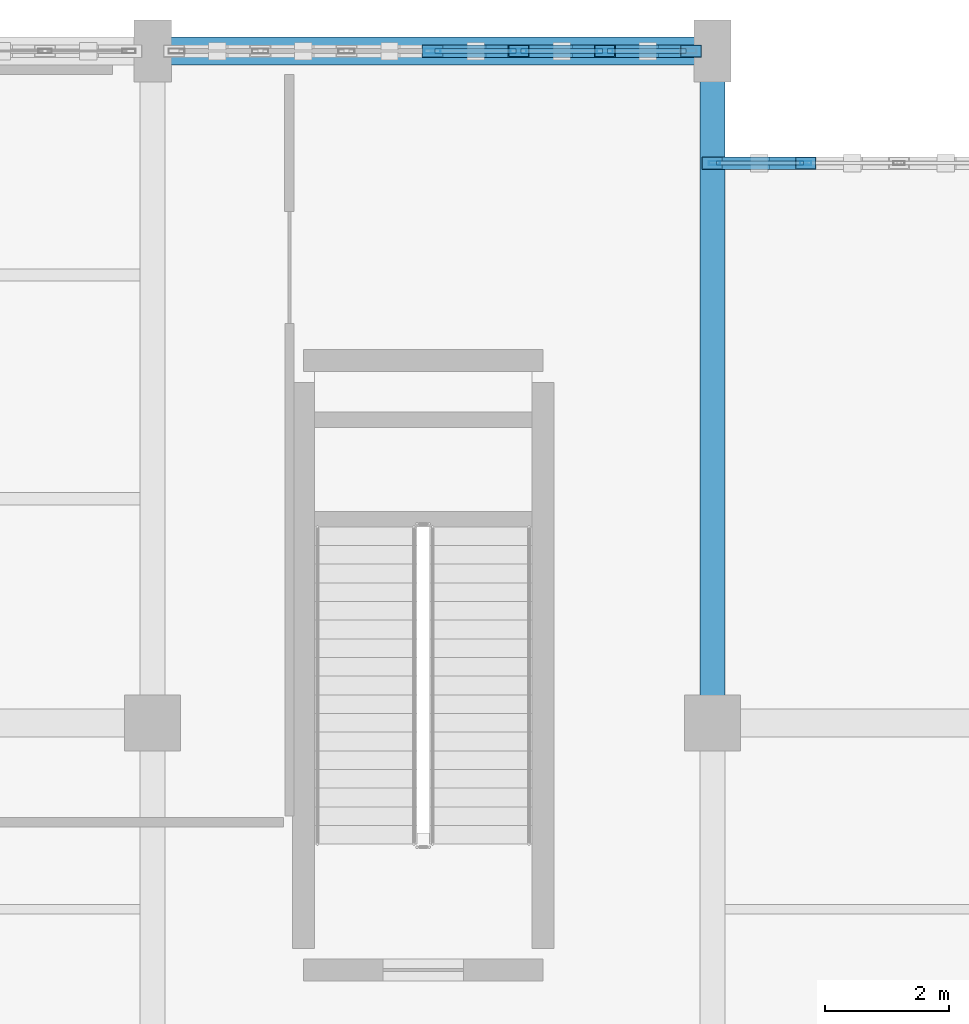
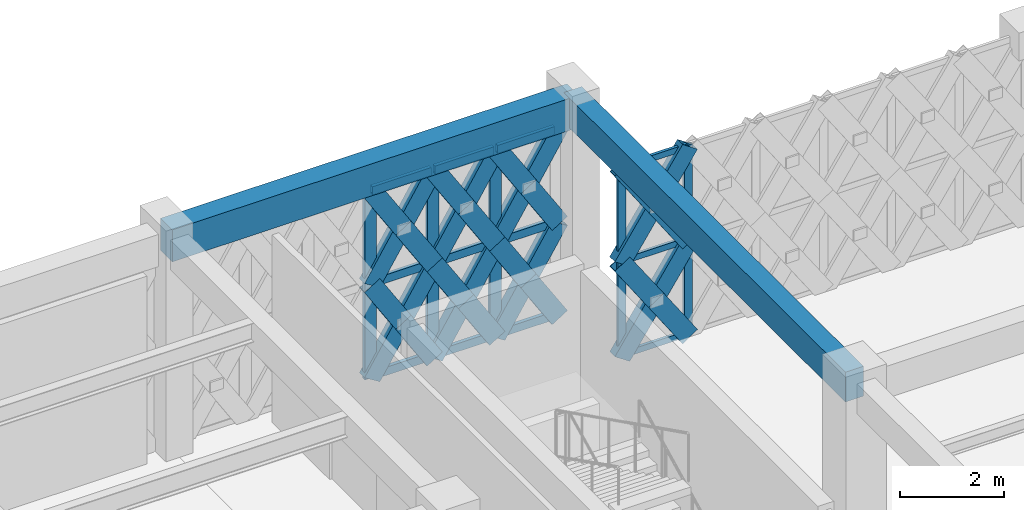
# One storey, part 92 of 155: 41 members, 2 beams, 2 elements without a shape of their own.
"""IFC4 building model written with IfcOpenShell, lengths in metres."""

from ifc_helpers import new_model, si_unit, direction, frame, origin, origin_2d, place, context, subcontext, project, spatial, rectangle, hollow_rectangle, extrude, material, material_profile, profile_set, type_object, element, aggregate, save


model = new_model("IFC4")

# Units and contexts
model_context = context("Model", 3, precision=1e-05, world=origin(), true_north=direction((0.0, 1.0)))
body_context = subcontext(model_context, "Body", "Model", "MODEL_VIEW")
ifc_project = project(units=[si_unit("LENGTHUNIT", "METRE"), si_unit("AREAUNIT", "SQUARE_METRE"), si_unit("VOLUMEUNIT", "CUBIC_METRE"), si_unit("PLANEANGLEUNIT", "RADIAN"), si_unit("MASSUNIT", "GRAM", prefix="KILO")], contexts=[model_context])

# Site, building, storey
site_placement = place(None, origin())
site = spatial("IfcSite", under=ifc_project, at=site_placement, CompositionType="ELEMENT")
building_placement = place(site_placement, origin())
building = spatial("IfcBuilding", under=site, at=building_placement, Name="Haizhuo Lancet Aquarium", CompositionType="ELEMENT")
storey_placement = place(building_placement, frame((0.0, 0.0, 10.800048828125)))
storey = spatial("IfcBuildingStorey", under=building, at=storey_placement, Name="L02", CompositionType="ELEMENT", Elevation=10.800048828125)

# Beams
ifc_material_1 = material(Name="Concrete C40/50", Category="concrete")
ifc_material_profile_1 = material_profile(ifc_material_1, rectangle(XDim=0.39990234375, YDim=0.699951171875, at=origin_2d()), Name="RC-BM 400x700")
ifc_profile_set_1 = profile_set([ifc_material_profile_1], Name="Concrete C40/50")
beam_type_1 = type_object("IfcBeamType", Name="BM-RC-400x700", PredefinedType="BEAM", material=ifc_profile_set_1)
beam_1_placement = place(storey_placement, frame((18.0, 45.0, 4.81005859375), z_axis=(0.0, 1.0, 0.0), x_axis=(-1.0, 0.0, 0.0)))
element("IfcBeam", 1, at=beam_1_placement, inside=storey, type_object=beam_type_1, Name="L02 V5 primary girder BM-L02-V5-030", PredefinedType="BEAM", context=body_context, shape_type="SweptSolid", body=[
    extrude(rectangle(XDim=0.39990234375, YDim=0.699951171875, at=origin_2d()), origin(), (0.0, 0.0, 1.0), 10.800048828125),
])
ifc_material_profile_2 = material_profile(ifc_material_1, rectangle(XDim=0.449951171875, YDim=0.75, at=origin_2d()), Name="RC-BM 450x750")
ifc_profile_set_2 = profile_set([ifc_material_profile_2], Name="Concrete C40/50")
beam_type_2 = type_object("IfcBeamType", Name="BM-RC-450x750", PredefinedType="BEAM", material=ifc_profile_set_2)
beam_2_placement = place(storey_placement, frame((9.0, 55.800048828125, 4.784912109375), z_axis=(1.0, 0.0, 0.0), x_axis=(0.0, 1.0, 0.0)))
element("IfcBeam", 2, at=beam_2_placement, inside=storey, type_object=beam_type_2, Name="L02 V5 primary girder BM-L02-V5-027", PredefinedType="BEAM", context=body_context, shape_type="SweptSolid", body=[
    extrude(rectangle(XDim=0.449951171875, YDim=0.75, at=origin_2d()), origin(), (0.0, 0.0, 1.0), 9.0),
])

# Curtain wall, members
ifc_material_2 = material(Name="Aluminium 6063-T6", Category="aluminium")
curtain_wall_type_1 = type_object("IfcCurtainWallType", Name="CWD-9000x4440", PredefinedType="NOTDEFINED", material=ifc_material_2)
curtain_wall_1_placement = place(storey_placement, origin())
curtain_wall_1 = element("IfcCurtainWall", 3, at=curtain_wall_1_placement, inside=storey, type_object=curtain_wall_type_1, Name="L02 curtain wall CW-V5-L02-151", PredefinedType="NOTDEFINED")
ifc_material_profile_3 = material_profile(ifc_material_2, hollow_rectangle(XDim=0.06494140625, YDim=0.179931640625, WallThickness=0.00390625, at=origin_2d()), Name="ALU-M 65x180x4")
ifc_profile_set_3 = profile_set([ifc_material_profile_3], Name="Aluminium 6063-T6")
member_type_1 = type_object("IfcMemberType", Name="CW-MUL-1", PredefinedType="MULLION", material=ifc_profile_set_3)
member_1_placement = place(storey_placement, frame((18.031982421875, 54.0, 0.0), z_axis=(0.0, 0.0, 1.0), x_axis=(0.0, 1.0, 0.0)))
member_1 = element("IfcMember", 4, at=member_1_placement, type_object=member_type_1, Name="CWD-90x44 mullion 1", PredefinedType="MULLION", context=body_context, shape_type="SweptSolid", body=[
    extrude(hollow_rectangle(XDim=0.06494140625, YDim=0.179931640625, WallThickness=0.00390625, at=origin_2d()), origin(), (0.0, 0.0, 1.0), 4.445068359375),
])
member_2_placement = place(storey_placement, frame((19.5, 54.0, 0.0), z_axis=(0.0, 0.0, 1.0), x_axis=(0.0, 1.0, 0.0)))
member_2 = element("IfcMember", 5, at=member_2_placement, type_object=member_type_1, Name="CWD-90x44 mullion 2", PredefinedType="MULLION", context=body_context, shape_type="SweptSolid", body=[
    extrude(hollow_rectangle(XDim=0.06494140625, YDim=0.179931640625, WallThickness=0.00390625, at=origin_2d()), origin(), (0.0, 0.0, 1.0), 4.445068359375),
])

curtain_wall_type_2 = type_object("IfcCurtainWallType", Name="CWD-8310x4410", PredefinedType="NOTDEFINED", material=ifc_material_2)
curtain_wall_2_placement = place(storey_placement, origin())
curtain_wall_2 = element("IfcCurtainWall", 6, at=curtain_wall_2_placement, inside=storey, type_object=curtain_wall_type_2, Name="L02 curtain wall CW-V5-L02-150", PredefinedType="NOTDEFINED")
ifc_material_profile_4 = material_profile(ifc_material_2, hollow_rectangle(XDim=0.080078125, YDim=0.260009765625, WallThickness=0.0048828125, at=origin_2d()), Name="ALU-M 80x260x5")
ifc_profile_set_4 = profile_set([ifc_material_profile_4], Name="Aluminium 6063-T6")
member_type_2 = type_object("IfcMemberType", Name="CW-MUL-3", PredefinedType="MULLION", material=ifc_profile_set_4)
member_3_placement = place(storey_placement, frame((13.5, 55.800048828125, 0.0), z_axis=(0.0, 0.0, 1.0), x_axis=(0.0, 1.0, 0.0)))
member_3 = element("IfcMember", 7, at=member_3_placement, type_object=member_type_2, Name="CWD-83x44 mullion 4", PredefinedType="MULLION", context=body_context, shape_type="SweptSolid", body=[
    extrude(hollow_rectangle(XDim=0.080078125, YDim=0.260009765625, WallThickness=0.0048828125, at=origin_2d()), origin(), (0.0, 0.0, 1.0), 4.409912109375),
])
member_4_placement = place(storey_placement, frame((14.885009765625, 55.800048828125, 0.0), z_axis=(0.0, 0.0, 1.0), x_axis=(0.0, 1.0, 0.0)))
member_4 = element("IfcMember", 8, at=member_4_placement, type_object=member_type_2, Name="CWD-83x44 mullion 5", PredefinedType="MULLION", context=body_context, shape_type="SweptSolid", body=[
    extrude(hollow_rectangle(XDim=0.080078125, YDim=0.260009765625, WallThickness=0.0048828125, at=origin_2d()), origin(), (0.0, 0.0, 1.0), 4.409912109375),
])
member_5_placement = place(storey_placement, frame((16.27001953125, 55.800048828125, 0.0), z_axis=(0.0, 0.0, 1.0), x_axis=(0.0, 1.0, 0.0)))
member_5 = element("IfcMember", 9, at=member_5_placement, type_object=member_type_2, Name="CWD-83x44 mullion 6", PredefinedType="MULLION", context=body_context, shape_type="SweptSolid", body=[
    extrude(hollow_rectangle(XDim=0.080078125, YDim=0.260009765625, WallThickness=0.0048828125, at=origin_2d()), origin(), (0.0, 0.0, 1.0), 4.409912109375),
])

# Member
ifc_material_profile_5 = material_profile(ifc_material_2, hollow_rectangle(XDim=0.06494140625, YDim=0.139892578125, WallThickness=0.00390625, at=origin_2d()), Name="ALU-T 65x140x4")
ifc_profile_set_5 = profile_set([ifc_material_profile_5], Name="Aluminium 6063-T6")
member_type_3 = type_object("IfcMemberType", Name="CW-TRN-1", PredefinedType="NOTDEFINED", material=ifc_profile_set_5)
member_6_placement = place(storey_placement, frame((18.06494140625, 54.0, 0.032958984375), z_axis=(1.0, 0.0, 0.0), x_axis=(0.0, 1.0, 0.0)))
member_6 = element("IfcMember", 10, at=member_6_placement, type_object=member_type_3, Name="CWD-90x44 transom 1.1", ObjectType="TRANSOM", PredefinedType="USERDEFINED", context=body_context, shape_type="SweptSolid", body=[
    extrude(hollow_rectangle(XDim=0.06494140625, YDim=0.139892578125, WallThickness=0.00390625, at=origin_2d()), origin(), (0.0, 0.0, 1.0), 1.403076171875),
])

member_7_placement = place(storey_placement, frame((18.06494140625, 54.0, 2.222900390625), z_axis=(1.0, 0.0, 0.0), x_axis=(0.0, 1.0, 0.0)))
member_7 = element("IfcMember", 11, at=member_7_placement, type_object=member_type_3, Name="CWD-90x44 transom 1.2", ObjectType="TRANSOM", PredefinedType="USERDEFINED", context=body_context, shape_type="SweptSolid", body=[
    extrude(hollow_rectangle(XDim=0.06494140625, YDim=0.139892578125, WallThickness=0.00390625, at=origin_2d()), origin(), (0.0, 0.0, 1.0), 1.403076171875),
])

member_8_placement = place(storey_placement, frame((18.06494140625, 54.0, 4.411865234375), z_axis=(1.0, 0.0, 0.0), x_axis=(0.0, 1.0, 0.0)))
member_8 = element("IfcMember", 12, at=member_8_placement, type_object=member_type_3, Name="CWD-90x44 transom 1.3", ObjectType="TRANSOM", PredefinedType="USERDEFINED", context=body_context, shape_type="SweptSolid", body=[
    extrude(hollow_rectangle(XDim=0.06494140625, YDim=0.139892578125, WallThickness=0.00390625, at=origin_2d()), origin(), (0.0, 0.0, 1.0), 1.403076171875),
])

aggregate(curtain_wall_1, [member_1, member_2, member_6, member_7, member_8])

ifc_material_profile_6 = material_profile(ifc_material_2, hollow_rectangle(XDim=0.080078125, YDim=0.18994140625, WallThickness=0.0048828125, at=origin_2d()), Name="ALU-T 80x190x5")
ifc_profile_set_6 = profile_set([ifc_material_profile_6], Name="Aluminium 6063-T6")
member_type_4 = type_object("IfcMemberType", Name="CW-TRN-3", PredefinedType="NOTDEFINED", material=ifc_profile_set_6)
member_9_placement = place(storey_placement, frame((13.5400390625, 55.800048828125, 0.0400390625), z_axis=(1.0, 0.0, 0.0), x_axis=(0.0, 1.0, 0.0)))
member_9 = element("IfcMember", 13, at=member_9_placement, type_object=member_type_4, Name="CWD-83x44 transom 4.1", ObjectType="TRANSOM", PredefinedType="USERDEFINED", context=body_context, shape_type="SweptSolid", body=[
    extrude(hollow_rectangle(XDim=0.080078125, YDim=0.18994140625, WallThickness=0.0048828125, at=origin_2d()), origin(), (0.0, 0.0, 1.0), 1.304931640625),
])

member_10_placement = place(storey_placement, frame((13.5400390625, 55.800048828125, 2.204833984375), z_axis=(1.0, 0.0, 0.0), x_axis=(0.0, 1.0, 0.0)))
member_10 = element("IfcMember", 14, at=member_10_placement, type_object=member_type_4, Name="CWD-83x44 transom 4.2", ObjectType="TRANSOM", PredefinedType="USERDEFINED", context=body_context, shape_type="SweptSolid", body=[
    extrude(hollow_rectangle(XDim=0.080078125, YDim=0.18994140625, WallThickness=0.0048828125, at=origin_2d()), origin(), (0.0, 0.0, 1.0), 1.304931640625),
])

member_11_placement = place(storey_placement, frame((13.5400390625, 55.800048828125, 4.369873046875), z_axis=(1.0, 0.0, 0.0), x_axis=(0.0, 1.0, 0.0)))
member_11 = element("IfcMember", 15, at=member_11_placement, type_object=member_type_4, Name="CWD-83x44 transom 4.3", ObjectType="TRANSOM", PredefinedType="USERDEFINED", context=body_context, shape_type="SweptSolid", body=[
    extrude(hollow_rectangle(XDim=0.080078125, YDim=0.18994140625, WallThickness=0.0048828125, at=origin_2d()), origin(), (0.0, 0.0, 1.0), 1.304931640625),
])

member_12_placement = place(storey_placement, frame((14.925048828125, 55.800048828125, 0.0400390625), z_axis=(1.0, 0.0, 0.0), x_axis=(0.0, 1.0, 0.0)))
member_12 = element("IfcMember", 16, at=member_12_placement, type_object=member_type_4, Name="CWD-83x44 transom 5.1", ObjectType="TRANSOM", PredefinedType="USERDEFINED", context=body_context, shape_type="SweptSolid", body=[
    extrude(hollow_rectangle(XDim=0.080078125, YDim=0.18994140625, WallThickness=0.0048828125, at=origin_2d()), origin(), (0.0, 0.0, 1.0), 1.304931640625),
])

member_13_placement = place(storey_placement, frame((14.925048828125, 55.800048828125, 2.204833984375), z_axis=(1.0, 0.0, 0.0), x_axis=(0.0, 1.0, 0.0)))
member_13 = element("IfcMember", 17, at=member_13_placement, type_object=member_type_4, Name="CWD-83x44 transom 5.2", ObjectType="TRANSOM", PredefinedType="USERDEFINED", context=body_context, shape_type="SweptSolid", body=[
    extrude(hollow_rectangle(XDim=0.080078125, YDim=0.18994140625, WallThickness=0.0048828125, at=origin_2d()), origin(), (0.0, 0.0, 1.0), 1.304931640625),
])

member_14_placement = place(storey_placement, frame((14.925048828125, 55.800048828125, 4.369873046875), z_axis=(1.0, 0.0, 0.0), x_axis=(0.0, 1.0, 0.0)))
member_14 = element("IfcMember", 18, at=member_14_placement, type_object=member_type_4, Name="CWD-83x44 transom 5.3", ObjectType="TRANSOM", PredefinedType="USERDEFINED", context=body_context, shape_type="SweptSolid", body=[
    extrude(hollow_rectangle(XDim=0.080078125, YDim=0.18994140625, WallThickness=0.0048828125, at=origin_2d()), origin(), (0.0, 0.0, 1.0), 1.304931640625),
])

member_15_placement = place(storey_placement, frame((16.31005859375, 55.800048828125, 0.0400390625), z_axis=(1.0, 0.0, 0.0), x_axis=(0.0, 1.0, 0.0)))
member_15 = element("IfcMember", 19, at=member_15_placement, type_object=member_type_4, Name="CWD-83x44 transom 6.1", ObjectType="TRANSOM", PredefinedType="USERDEFINED", context=body_context, shape_type="SweptSolid", body=[
    extrude(hollow_rectangle(XDim=0.080078125, YDim=0.18994140625, WallThickness=0.0048828125, at=origin_2d()), origin(), (0.0, 0.0, 1.0), 1.264892578125),
])

member_16_placement = place(storey_placement, frame((16.31005859375, 55.800048828125, 2.204833984375), z_axis=(1.0, 0.0, 0.0), x_axis=(0.0, 1.0, 0.0)))
member_16 = element("IfcMember", 20, at=member_16_placement, type_object=member_type_4, Name="CWD-83x44 transom 6.2", ObjectType="TRANSOM", PredefinedType="USERDEFINED", context=body_context, shape_type="SweptSolid", body=[
    extrude(hollow_rectangle(XDim=0.080078125, YDim=0.18994140625, WallThickness=0.0048828125, at=origin_2d()), origin(), (0.0, 0.0, 1.0), 1.264892578125),
])

member_17_placement = place(storey_placement, frame((16.31005859375, 55.800048828125, 4.369873046875), z_axis=(1.0, 0.0, 0.0), x_axis=(0.0, 1.0, 0.0)))
member_17 = element("IfcMember", 21, at=member_17_placement, type_object=member_type_4, Name="CWD-83x44 transom 6.3", ObjectType="TRANSOM", PredefinedType="USERDEFINED", context=body_context, shape_type="SweptSolid", body=[
    extrude(hollow_rectangle(XDim=0.080078125, YDim=0.18994140625, WallThickness=0.0048828125, at=origin_2d()), origin(), (0.0, 0.0, 1.0), 1.264892578125),
])

aggregate(curtain_wall_2, [member_3, member_4, member_5, member_9, member_10, member_11, member_12, member_13, member_14, member_15, member_16, member_17])

# Members
ifc_material_3 = material(Name="Steel S355", Category="steel")
ifc_material_profile_7 = material_profile(ifc_material_3, hollow_rectangle(XDim=0.199951171875, YDim=0.39990234375, WallThickness=0.011962890625, at=origin_2d()), Name="RHS 200x400x12")
ifc_profile_set_7 = profile_set([ifc_material_profile_7], Name="Steel S355")
member_type_5 = type_object("IfcMemberType", Name="MEM-LB-RHS200x400", PredefinedType="BRACE", material=ifc_profile_set_7)
member_18_placement = place(storey_placement, frame((13.5, 55.800048828125, 0.0), z_axis=(0.531927646905, 0.0, 0.84678980772), x_axis=(0.0, 1.0, 0.0)))
element("IfcMember", 22, at=member_18_placement, inside=storey, type_object=member_type_5, Name="Gothic lancet continuous diagonal brace CW-V5-L02-150 7A", PredefinedType="BRACE", context=body_context, shape_type="SweptSolid", body=[
    extrude(hollow_rectangle(XDim=0.199951171875, YDim=0.39990234375, WallThickness=0.011962890625, at=origin_2d()), origin(), (0.0, 0.0, 1.0), 2.603759765625),
])
member_19_placement = place(storey_placement, frame((14.885009765625, 55.800048828125, 0.0), z_axis=(-0.532390437474, 0.0, 0.84649892031), x_axis=(0.0, -1.0, 0.0)))
element("IfcMember", 23, at=member_19_placement, inside=storey, type_object=member_type_5, Name="Gothic lancet split diagonal brace CW-V5-L02-150 7B1", PredefinedType="BRACE", context=body_context, shape_type="SweptSolid", body=[
    extrude(hollow_rectangle(XDim=0.199951171875, YDim=0.39990234375, WallThickness=0.011962890625, at=origin_2d()), origin(), (0.0, 0.0, 1.0), 1.302001953125),
])
member_20_placement = place(storey_placement, frame((14.19189453125, 55.800048828125, 1.10205078125), z_axis=(-0.531464687043, 0.0, 0.847080448615), x_axis=(0.0, -1.0, 0.0)))
element("IfcMember", 24, at=member_20_placement, inside=storey, type_object=member_type_5, Name="Gothic lancet split diagonal brace CW-V5-L02-150 7B2", PredefinedType="BRACE", context=body_context, shape_type="SweptSolid", body=[
    extrude(hollow_rectangle(XDim=0.199951171875, YDim=0.39990234375, WallThickness=0.011962890625, at=origin_2d()), origin(), (0.0, 0.0, 1.0), 1.3017578125),
])
member_21_placement = place(storey_placement, frame((13.5, 55.800048828125, 2.204833984375), z_axis=(0.531885415037, 0.0, 0.846816335028), x_axis=(0.0, 1.0, 0.0)))
element("IfcMember", 25, at=member_21_placement, inside=storey, type_object=member_type_5, Name="Gothic lancet continuous diagonal brace CW-V5-L02-150 8A", PredefinedType="BRACE", context=body_context, shape_type="SweptSolid", body=[
    extrude(hollow_rectangle(XDim=0.199951171875, YDim=0.39990234375, WallThickness=0.011962890625, at=origin_2d()), origin(), (0.0, 0.0, 1.0), 2.60400390625),
])
member_22_placement = place(storey_placement, frame((14.885009765625, 55.800048828125, 2.204833984375), z_axis=(-0.532052559181, 0.0, 0.846711328771), x_axis=(0.0, -1.0, 0.0)))
element("IfcMember", 26, at=member_22_placement, inside=storey, type_object=member_type_5, Name="Gothic lancet split diagonal brace CW-V5-L02-150 8B1", PredefinedType="BRACE", context=body_context, shape_type="SweptSolid", body=[
    extrude(hollow_rectangle(XDim=0.199951171875, YDim=0.39990234375, WallThickness=0.011962890625, at=origin_2d()), origin(), (0.0, 0.0, 1.0), 1.302734375),
])
member_23_placement = place(storey_placement, frame((14.19189453125, 55.800048828125, 3.307861328125), z_axis=(-0.531718060511, 0.0, 0.846921427363), x_axis=(0.0, -1.0, 0.0)))
element("IfcMember", 27, at=member_23_placement, inside=storey, type_object=member_type_5, Name="Gothic lancet split diagonal brace CW-V5-L02-150 8B2", PredefinedType="BRACE", context=body_context, shape_type="SweptSolid", body=[
    extrude(hollow_rectangle(XDim=0.199951171875, YDim=0.39990234375, WallThickness=0.011962890625, at=origin_2d()), origin(), (0.0, 0.0, 1.0), 1.30126953125),
])
member_24_placement = place(storey_placement, frame((14.885009765625, 55.800048828125, 0.0), z_axis=(0.531927646905, 0.0, 0.84678980772), x_axis=(0.0, 1.0, 0.0)))
element("IfcMember", 28, at=member_24_placement, inside=storey, type_object=member_type_5, Name="Gothic lancet continuous diagonal brace CW-V5-L02-150 9A", PredefinedType="BRACE", context=body_context, shape_type="SweptSolid", body=[
    extrude(hollow_rectangle(XDim=0.199951171875, YDim=0.39990234375, WallThickness=0.011962890625, at=origin_2d()), origin(), (0.0, 0.0, 1.0), 2.603759765625),
])
member_25_placement = place(storey_placement, frame((16.27001953125, 55.800048828125, 0.0), z_axis=(-0.531852616433, 0.0, 0.846836934949), x_axis=(0.0, -1.0, 0.0)))
element("IfcMember", 29, at=member_25_placement, inside=storey, type_object=member_type_5, Name="Gothic lancet split diagonal brace CW-V5-L02-150 9B1", PredefinedType="BRACE", context=body_context, shape_type="SweptSolid", body=[
    extrude(hollow_rectangle(XDim=0.199951171875, YDim=0.39990234375, WallThickness=0.011962890625, at=origin_2d()), origin(), (0.0, 0.0, 1.0), 1.30126953125),
])
member_26_placement = place(storey_placement, frame((15.577880859375, 55.800048828125, 1.10205078125), z_axis=(-0.53200261503, 0.0, 0.846742710391), x_axis=(0.0, -1.0, 0.0)))
element("IfcMember", 30, at=member_26_placement, inside=storey, type_object=member_type_5, Name="Gothic lancet split diagonal brace CW-V5-L02-150 9B2", PredefinedType="BRACE", context=body_context, shape_type="SweptSolid", body=[
    extrude(hollow_rectangle(XDim=0.199951171875, YDim=0.39990234375, WallThickness=0.011962890625, at=origin_2d()), origin(), (0.0, 0.0, 1.0), 1.302490234375),
])
member_27_placement = place(storey_placement, frame((14.885009765625, 55.800048828125, 2.204833984375), z_axis=(0.531885415037, 0.0, 0.846816335028), x_axis=(0.0, 1.0, 0.0)))
element("IfcMember", 31, at=member_27_placement, inside=storey, type_object=member_type_5, Name="Gothic lancet continuous diagonal brace CW-V5-L02-150 10A", PredefinedType="BRACE", context=body_context, shape_type="SweptSolid", body=[
    extrude(hollow_rectangle(XDim=0.199951171875, YDim=0.39990234375, WallThickness=0.011962890625, at=origin_2d()), origin(), (0.0, 0.0, 1.0), 2.60400390625),
])
member_28_placement = place(storey_placement, frame((16.27001953125, 55.800048828125, 2.204833984375), z_axis=(-0.531514810105, 0.0, 0.84704899896), x_axis=(0.0, -1.0, 0.0)))
element("IfcMember", 32, at=member_28_placement, inside=storey, type_object=member_type_5, Name="Gothic lancet split diagonal brace CW-V5-L02-150 10B1", PredefinedType="BRACE", context=body_context, shape_type="SweptSolid", body=[
    extrude(hollow_rectangle(XDim=0.199951171875, YDim=0.39990234375, WallThickness=0.011962890625, at=origin_2d()), origin(), (0.0, 0.0, 1.0), 1.30224609375),
])
member_29_placement = place(storey_placement, frame((15.577880859375, 55.800048828125, 3.307861328125), z_axis=(-0.532256042599, 0.0, 0.846583430689), x_axis=(0.0, -1.0, 0.0)))
element("IfcMember", 33, at=member_29_placement, inside=storey, type_object=member_type_5, Name="Gothic lancet split diagonal brace CW-V5-L02-150 10B2", PredefinedType="BRACE", context=body_context, shape_type="SweptSolid", body=[
    extrude(hollow_rectangle(XDim=0.199951171875, YDim=0.39990234375, WallThickness=0.011962890625, at=origin_2d()), origin(), (0.0, 0.0, 1.0), 1.3017578125),
])
member_30_placement = place(storey_placement, frame((16.27001953125, 55.800048828125, 0.0), z_axis=(0.531927646905, 0.0, 0.84678980772), x_axis=(0.0, 1.0, 0.0)))
element("IfcMember", 34, at=member_30_placement, inside=storey, type_object=member_type_5, Name="Gothic lancet continuous diagonal brace CW-V5-L02-150 11A", PredefinedType="BRACE", context=body_context, shape_type="SweptSolid", body=[
    extrude(hollow_rectangle(XDim=0.199951171875, YDim=0.39990234375, WallThickness=0.011962890625, at=origin_2d()), origin(), (0.0, 0.0, 1.0), 2.603759765625),
])
member_31_placement = place(storey_placement, frame((17.655029296875, 55.800048828125, 0.0), z_axis=(-0.532390437474, 0.0, 0.84649892031), x_axis=(0.0, -1.0, 0.0)))
element("IfcMember", 35, at=member_31_placement, inside=storey, type_object=member_type_5, Name="Gothic lancet split diagonal brace CW-V5-L02-150 11B1", PredefinedType="BRACE", context=body_context, shape_type="SweptSolid", body=[
    extrude(hollow_rectangle(XDim=0.199951171875, YDim=0.39990234375, WallThickness=0.011962890625, at=origin_2d()), origin(), (0.0, 0.0, 1.0), 1.302001953125),
])
member_32_placement = place(storey_placement, frame((16.9619140625, 55.800048828125, 1.10205078125), z_axis=(-0.531464687043, 0.0, 0.847080448615), x_axis=(0.0, -1.0, 0.0)))
element("IfcMember", 36, at=member_32_placement, inside=storey, type_object=member_type_5, Name="Gothic lancet split diagonal brace CW-V5-L02-150 11B2", PredefinedType="BRACE", context=body_context, shape_type="SweptSolid", body=[
    extrude(hollow_rectangle(XDim=0.199951171875, YDim=0.39990234375, WallThickness=0.011962890625, at=origin_2d()), origin(), (0.0, 0.0, 1.0), 1.3017578125),
])
member_33_placement = place(storey_placement, frame((16.27001953125, 55.800048828125, 2.204833984375), z_axis=(0.531885415037, 0.0, 0.846816335028), x_axis=(0.0, 1.0, 0.0)))
element("IfcMember", 37, at=member_33_placement, inside=storey, type_object=member_type_5, Name="Gothic lancet continuous diagonal brace CW-V5-L02-150 12A", PredefinedType="BRACE", context=body_context, shape_type="SweptSolid", body=[
    extrude(hollow_rectangle(XDim=0.199951171875, YDim=0.39990234375, WallThickness=0.011962890625, at=origin_2d()), origin(), (0.0, 0.0, 1.0), 2.60400390625),
])
member_34_placement = place(storey_placement, frame((17.655029296875, 55.800048828125, 2.204833984375), z_axis=(-0.532052559181, 0.0, 0.846711328771), x_axis=(0.0, -1.0, 0.0)))
element("IfcMember", 38, at=member_34_placement, inside=storey, type_object=member_type_5, Name="Gothic lancet split diagonal brace CW-V5-L02-150 12B1", PredefinedType="BRACE", context=body_context, shape_type="SweptSolid", body=[
    extrude(hollow_rectangle(XDim=0.199951171875, YDim=0.39990234375, WallThickness=0.011962890625, at=origin_2d()), origin(), (0.0, 0.0, 1.0), 1.302734375),
])
member_35_placement = place(storey_placement, frame((16.9619140625, 55.800048828125, 3.307861328125), z_axis=(-0.531718060511, 0.0, 0.846921427363), x_axis=(0.0, -1.0, 0.0)))
element("IfcMember", 39, at=member_35_placement, inside=storey, type_object=member_type_5, Name="Gothic lancet split diagonal brace CW-V5-L02-150 12B2", PredefinedType="BRACE", context=body_context, shape_type="SweptSolid", body=[
    extrude(hollow_rectangle(XDim=0.199951171875, YDim=0.39990234375, WallThickness=0.011962890625, at=origin_2d()), origin(), (0.0, 0.0, 1.0), 1.30126953125),
])
member_36_placement = place(storey_placement, frame((18.0, 54.0, 0.0), z_axis=(0.559355578967, 0.0, 0.828927823323), x_axis=(0.0, 1.0, 0.0)))
element("IfcMember", 40, at=member_36_placement, inside=storey, type_object=member_type_5, Name="Gothic lancet continuous diagonal brace CW-V5-L02-151 1A", PredefinedType="BRACE", context=body_context, shape_type="SweptSolid", body=[
    extrude(hollow_rectangle(XDim=0.199951171875, YDim=0.39990234375, WallThickness=0.011962890625, at=origin_2d()), origin(), (0.0, 0.0, 1.0), 2.681640625),
])
member_37_placement = place(storey_placement, frame((19.5, 54.0, 0.0), z_axis=(-0.559144577779, 0.0, 0.829070166596), x_axis=(0.0, -1.0, 0.0)))
element("IfcMember", 41, at=member_37_placement, inside=storey, type_object=member_type_5, Name="Gothic lancet split diagonal brace CW-V5-L02-151 1B1", PredefinedType="BRACE", context=body_context, shape_type="SweptSolid", body=[
    extrude(hollow_rectangle(XDim=0.199951171875, YDim=0.39990234375, WallThickness=0.011962890625, at=origin_2d()), origin(), (0.0, 0.0, 1.0), 1.34130859375),
])
member_38_placement = place(storey_placement, frame((18.75, 54.0, 1.112060546875), z_axis=(-0.559566703172, 0.0, 0.828785318826), x_axis=(0.0, -1.0, 0.0)))
element("IfcMember", 42, at=member_38_placement, inside=storey, type_object=member_type_5, Name="Gothic lancet split diagonal brace CW-V5-L02-151 1B2", PredefinedType="BRACE", context=body_context, shape_type="SweptSolid", body=[
    extrude(hollow_rectangle(XDim=0.199951171875, YDim=0.39990234375, WallThickness=0.011962890625, at=origin_2d()), origin(), (0.0, 0.0, 1.0), 1.34033203125),
])
member_39_placement = place(storey_placement, frame((18.0, 54.0, 2.222900390625), z_axis=(0.559482238724, 0.0, 0.828842339985), x_axis=(0.0, 1.0, 0.0)))
element("IfcMember", 43, at=member_39_placement, inside=storey, type_object=member_type_5, Name="Gothic lancet continuous diagonal brace CW-V5-L02-151 2A", PredefinedType="BRACE", context=body_context, shape_type="SweptSolid", body=[
    extrude(hollow_rectangle(XDim=0.199951171875, YDim=0.39990234375, WallThickness=0.011962890625, at=origin_2d()), origin(), (0.0, 0.0, 1.0), 2.68115234375),
])
for number, where, z_axis, x_axis, name in (
    (44, (19.5, 54.0, 2.222900390625), (-0.559482238724, 0.0, 0.828842339985), (0.0, -1.0, 0.0), "Gothic lancet split diagonal brace CW-V5-L02-151 2B1"),
    (45, (18.75, 54.0, 3.333984375), (-0.559482238724, 0.0, 0.828842339985), (0.0, -1.0, 0.0), "Gothic lancet split diagonal brace CW-V5-L02-151 2B2"),
):
    element("IfcMember", number, at=place(storey_placement, frame(where, z_axis=z_axis, x_axis=x_axis)), inside=storey, type_object=member_type_5, Name=name, PredefinedType="BRACE", context=body_context, shape_type="SweptSolid", body=[
        extrude(hollow_rectangle(XDim=0.199951171875, YDim=0.39990234375, WallThickness=0.011962890625, at=origin_2d()), origin(), (0.0, 0.0, 1.0), 1.340576171875),
    ])

save(model, "model.ifc")
